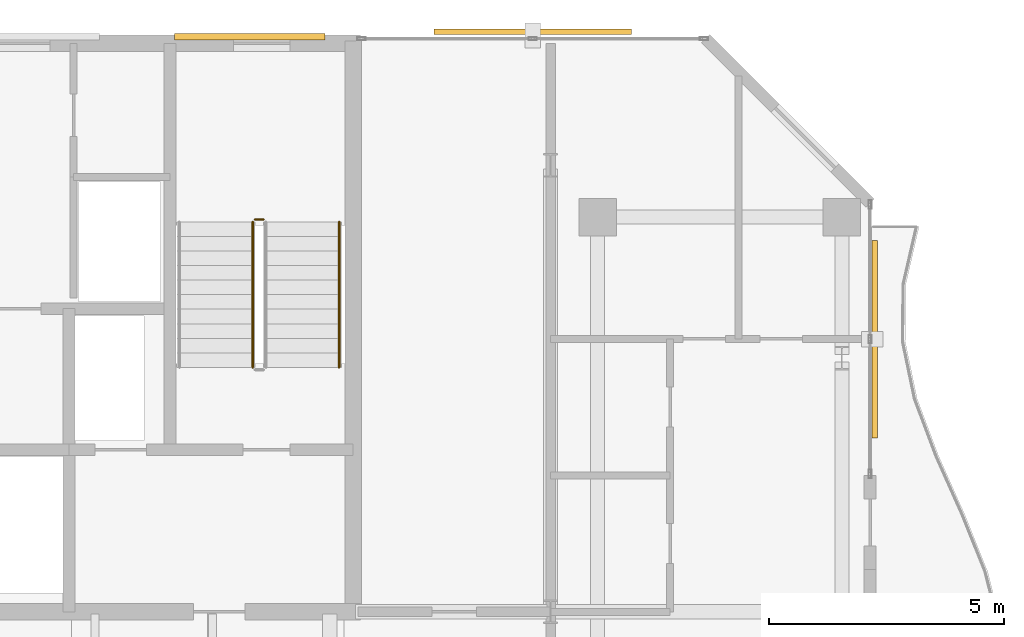
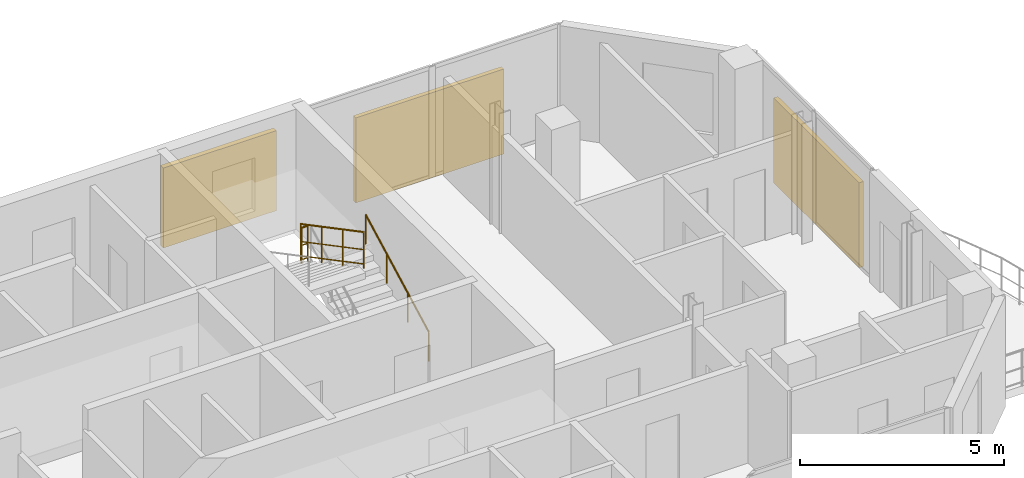
# One storey, part 24 of 24: 3 railings, 3 shading devices.
"""IFC4 building model written with IfcOpenShell, lengths in metres."""

from ifc_helpers import new_model, si_unit, direction, frame, origin, origin_2d, place, context, subcontext, project, spatial, rectangle, circle, extrude, material, type_object, element, save


model = new_model("IFC4")

# Units and contexts
model_context = context("Model", 3, precision=1e-05, world=origin(), true_north=direction((0.0, 1.0)))
body_context = subcontext(model_context, "Body", "Model", "MODEL_VIEW")
ifc_project = project(units=[si_unit("LENGTHUNIT", "METRE"), si_unit("AREAUNIT", "SQUARE_METRE"), si_unit("VOLUMEUNIT", "CUBIC_METRE"), si_unit("PLANEANGLEUNIT", "RADIAN"), si_unit("MASSUNIT", "GRAM", prefix="KILO")], contexts=[model_context])

# Site, building, storey
site_placement = place(None, origin())
site = spatial("IfcSite", under=ifc_project, at=site_placement, CompositionType="ELEMENT")
building_placement = place(site_placement, origin())
building = spatial("IfcBuilding", under=site, at=building_placement, Name="Catumbela Crestline Tower", CompositionType="ELEMENT")
storey_placement = place(building_placement, frame((0.0, 0.0, 154.2)))
storey = spatial("IfcBuildingStorey", under=building, at=storey_placement, Name="L39", CompositionType="ELEMENT", Elevation=154.2)

# Railings
ifc_material_1 = material(Name="Stainless steel EN 1.4401", Category="steel")
railing_type_1 = type_object("IfcRailingType", Name="RG-1100", PredefinedType="GUARDRAIL", material=ifc_material_1)
railing_1_placement = place(storey_placement, frame((38.09, 39.15, 1.8)))
element("IfcRailing", 1, at=railing_1_placement, inside=storey, type_object=railing_type_1, Name="L39 ST-02 stair guard 2", PredefinedType="GUARDRAIL", context=body_context, shape_type="SweptSolid", body=[
    extrude(circle(Radius=0.024, at=origin_2d()), frame((0.0, 0.0, 1.076), z_axis=(-1.0, 0.0, 0.0), x_axis=(0.0, -1.0, 0.0)), (0.0, 0.0, 1.0), 0.18),
    extrude(circle(Radius=0.0156, at=origin_2d()), frame((0.0, 0.0, 0.55), z_axis=(-1.0, 0.0, 0.0), x_axis=(0.0, -1.0, 0.0)), (0.0, 0.0, 1.0), 0.18),
    extrude(circle(Radius=0.0156, at=origin_2d()), frame((0.0, 0.0, 0.12), z_axis=(-1.0, 0.0, 0.0), x_axis=(0.0, -1.0, 0.0)), (0.0, 0.0, 1.0), 0.18),
    extrude(circle(Radius=0.021, at=origin_2d()), origin(), (0.0, 0.0, 1.0), 1.052),
    extrude(circle(Radius=0.021, at=origin_2d()), frame((-0.18, 0.0, 0.0)), (0.0, 0.0, 1.0), 1.052),
])
railing_2_placement = place(storey_placement, frame((37.86, 39.1, 1.9636)))
element("IfcRailing", 2, at=railing_2_placement, inside=storey, type_object=railing_type_1, Name="L39 ST-02 stair guard 3", PredefinedType="GUARDRAIL", context=body_context, shape_type="SweptSolid", body=[
    extrude(circle(Radius=0.024, at=origin_2d()), frame((0.0, 0.0, 1.076), z_axis=(0.0, -0.884350731049, 0.466823076222), x_axis=(1.0, 0.0, 0.0)), (0.0, 0.0, 1.0), 3.5054),
    extrude(circle(Radius=0.0156, at=origin_2d()), frame((0.0, 0.0, 0.55), z_axis=(0.0, -0.884350731049, 0.466823076222), x_axis=(1.0, 0.0, 0.0)), (0.0, 0.0, 1.0), 3.5054),
    extrude(circle(Radius=0.0156, at=origin_2d()), frame((0.0, 0.0, 0.12), z_axis=(0.0, -0.884350731049, 0.466823076222), x_axis=(1.0, 0.0, 0.0)), (0.0, 0.0, 1.0), 3.5054),
    extrude(circle(Radius=0.021, at=origin_2d()), origin(), (0.0, 0.0, 1.0), 1.052),
    extrude(circle(Radius=0.021, at=origin_2d()), frame((0.0, -1.0333, 0.5455)), (0.0, 0.0, 1.0), 1.052),
    extrude(circle(Radius=0.021, at=origin_2d()), frame((0.0, -2.0667, 1.0909)), (0.0, 0.0, 1.0), 1.052),
    extrude(circle(Radius=0.021, at=origin_2d()), frame((0.0, -3.1, 1.6364)), (0.0, 0.0, 1.0), 1.052),
])
railing_type_2 = type_object("IfcRailingType", Name="RH-0900", PredefinedType="HANDRAIL", material=ifc_material_1)
railing_3_placement = place(storey_placement, frame((39.7, 36.0, 0.1636)))
element("IfcRailing", 3, at=railing_3_placement, inside=storey, type_object=railing_type_2, Name="L39 ST-02 stair handrail 1", PredefinedType="HANDRAIL", context=body_context, shape_type="SweptSolid", body=[
    extrude(circle(Radius=0.024, at=origin_2d()), frame((0.0, 0.0, 0.876), z_axis=(0.0, 0.884350731049, 0.466823076222), x_axis=(-1.0, 0.0, 0.0)), (0.0, 0.0, 1.0), 3.5054),
    extrude(circle(Radius=0.021, at=origin_2d()), origin(), (0.0, 0.0, 1.0), 0.852),
    extrude(circle(Radius=0.021, at=origin_2d()), frame((0.0, 1.0333, 0.5455)), (0.0, 0.0, 1.0), 0.852),
    extrude(circle(Radius=0.021, at=origin_2d()), frame((0.0, 2.0667, 1.0909)), (0.0, 0.0, 1.0), 0.852),
    extrude(circle(Radius=0.021, at=origin_2d()), frame((0.0, 3.1, 1.6364)), (0.0, 0.0, 1.0), 0.852),
])

# Shading devices
ifc_material_2 = material(Name="Extruded terracotta ceramic", Category="masonry")
shading_device_type_1 = type_object("IfcShadingDeviceType", Name="ST-180", PredefinedType="USERDEFINED", material=ifc_material_2)
shading_device_1_placement = place(storey_placement, frame((51.099, 36.6, -0.1), z_axis=(0.0, 0.0, 1.0), x_axis=(0.0, 1.0, 0.0)))
element("IfcShadingDevice", 4, at=shading_device_1_placement, inside=storey, type_object=shading_device_type_1, Name="L39 Perforated Terracotta Solar Screen 422 (180 mm)", ObjectType="SCREEN", PredefinedType="USERDEFINED", context=body_context, shape_type="SweptSolid", body=[
    extrude(rectangle(XDim=4.2, YDim=0.12, at=origin_2d()), origin(), (0.0, 0.0, 1.0), 2.55),
])
shading_device_type_2 = type_object("IfcShadingDeviceType", Name="ST-260", PredefinedType="USERDEFINED", material=ifc_material_2)
shading_device_2_placement = place(storey_placement, frame((37.8, 43.04, 0.55), z_axis=(0.0, 0.0, 1.0), x_axis=(1.0, 0.0, 0.0)))
element("IfcShadingDevice", 5, at=shading_device_2_placement, inside=storey, type_object=shading_device_type_2, Name="L39 Rear Core Terracotta Brise-Soleil Screen 415", ObjectType="SCREEN", PredefinedType="USERDEFINED", context=body_context, shape_type="SweptSolid", body=[
    extrude(rectangle(XDim=3.2, YDim=0.14, at=origin_2d()), origin(), (0.0, 0.0, 1.0), 2.4),
])
shading_device_3_placement = place(storey_placement, frame((43.82, 43.143, -0.1), z_axis=(0.0, 0.0, 1.0), x_axis=(-1.0, 0.0, 0.0)))
element("IfcShadingDevice", 6, at=shading_device_3_placement, inside=storey, type_object=shading_device_type_2, Name="L39 Perforated Terracotta Solar Screen 423 (260 mm)", ObjectType="SCREEN", PredefinedType="USERDEFINED", context=body_context, shape_type="SweptSolid", body=[
    extrude(rectangle(XDim=4.2, YDim=0.12, at=origin_2d()), origin(), (0.0, 0.0, 1.0), 2.55),
])

save(model, "model.ifc")
